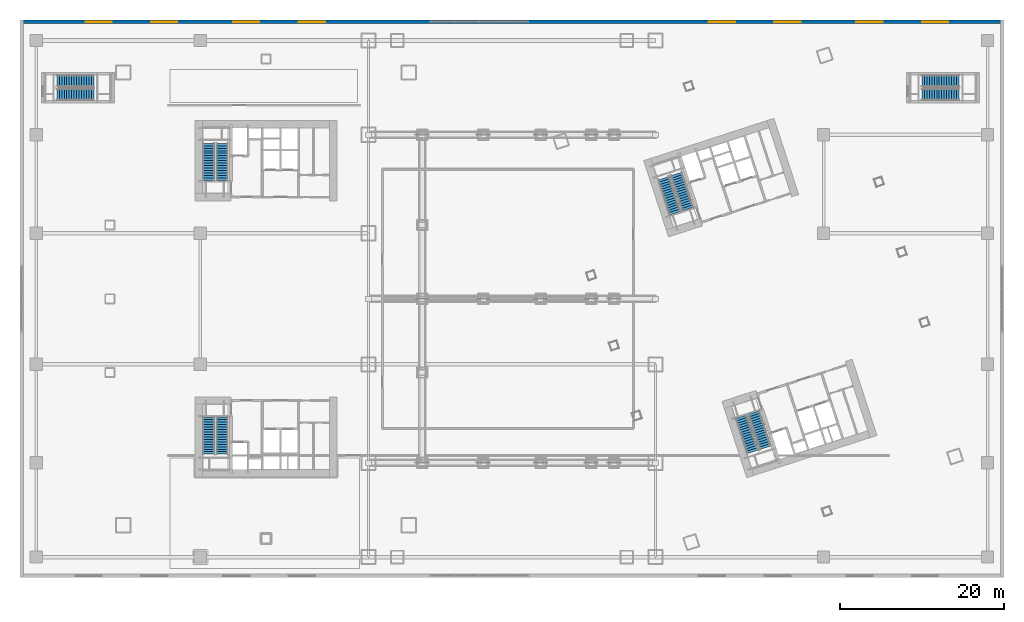
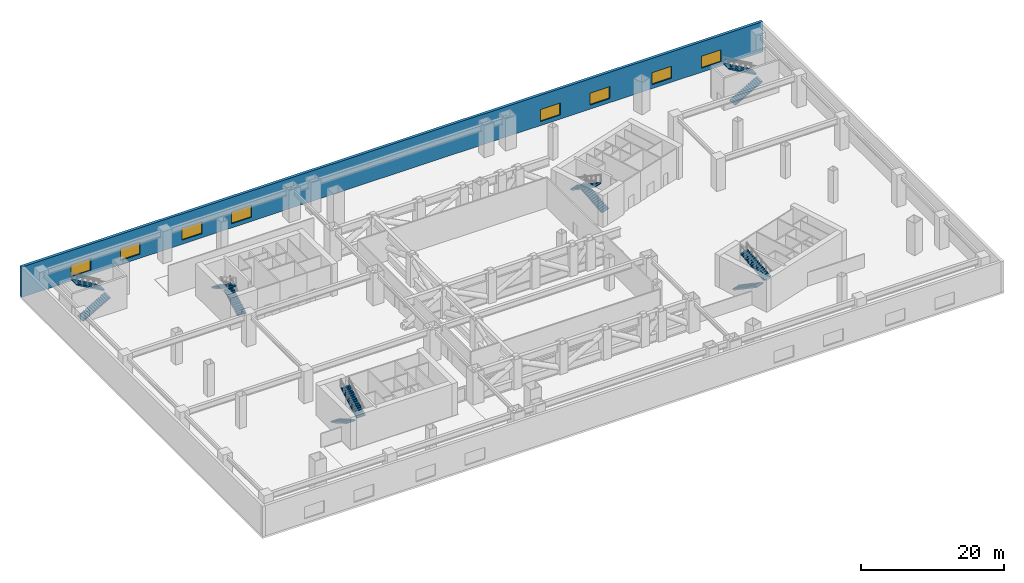
# One storey, part 30 of 34: 12 stair flights, 8 windows, 1 wall, 8 openings, 6 elements without a shape of their own.
"""IFC4 building model written with IfcOpenShell, lengths in metres."""

import ifcopenshell
import ifcopenshell.guid

model = None  # the IFC model being written
_history = None  # IfcOwnerHistory: only IFC2X3 demands one
_inside = {}  # id of a spatial element -> (the spatial element, [elements in it])
_under = {}  # id of a project, library or spatial element -> (it, [spatial elements below it])
_declared = {}  # id of a project -> (the project, [libraries it declares])
_typed = {}  # id of a type object -> (the type object, [elements of that type])
_made_of = {}  # id of a material, layer set ... -> (it, [elements and type objects made of it])


def new_model(schema):
    """Start an empty IFC model of exactly this schema.

    Asked for "IFC4X3", IfcOpenShell would pick the latest addendum, in which some entities
    have other attributes; the version numbers below select the first issue.
    IFC2X3 requires an IfcOwnerHistory on every rooted entity: one is made here for all.
    """
    global model, _history
    if schema == "IFC4X3":
        model = ifcopenshell.file(schema_version=(4, 3, 0, 0))
    else:
        model = ifcopenshell.file(schema=schema)
    _inside.clear()
    _under.clear()
    _declared.clear()
    _typed.clear()
    _made_of.clear()
    _history = None
    if model.schema == "IFC2X3":
        org = make("IfcOrganization", Name="unknown")
        user = make(
            "IfcPersonAndOrganization",
            ThePerson=make("IfcPerson", FamilyName="unknown"),
            TheOrganization=org,
        )
        app = make(
            "IfcApplication",
            ApplicationDeveloper=org,
            Version="unknown",
            ApplicationFullName="unknown",
            ApplicationIdentifier="unknown",
        )
        _history = make(
            "IfcOwnerHistory",
            OwningUser=user,
            OwningApplication=app,
            ChangeAction="ADDED",
            CreationDate=0,
        )
    return model


def make(cls, **values):
    """One entity of the class cls with the attributes given. An attribute that is None is left unset."""
    return model.create_entity(
        cls, **{name: value for name, value in values.items() if value is not None}
    )


def rooted(cls, **values):
    """An entity with a GlobalId (a new one), such as an element, a storey or a relation."""
    return make(cls, GlobalId=ifcopenshell.guid.new(), OwnerHistory=_history, **values)


def si_unit(unit_type, name, prefix=None):
    """IfcSIUnit, for example si_unit("LENGTHUNIT", "METRE", prefix="MILLI")."""
    return make("IfcSIUnit", UnitType=unit_type, Prefix=prefix, Name=name)


def assignment(units):
    """IfcUnitAssignment: the units of a project."""
    return None if units is None else make("IfcUnitAssignment", Units=units)


def point(xyz):
    """IfcCartesianPoint."""
    return None if xyz is None else make("IfcCartesianPoint", Coordinates=xyz)


def direction(xyz):
    """IfcDirection."""
    return None if xyz is None else make("IfcDirection", DirectionRatios=xyz)


def frame(location, z_axis=None, x_axis=None):
    """IfcAxis2Placement3D, a coordinate frame: its origin and axes. An axis left out is left unset."""
    return make(
        "IfcAxis2Placement3D",
        Location=point(location),
        Axis=direction(z_axis),
        RefDirection=direction(x_axis),
    )


def frame_2d(location, x_axis=None):
    """IfcAxis2Placement2D, a coordinate frame in the plane: its origin and x axis."""
    return make(
        "IfcAxis2Placement2D", Location=point(location), RefDirection=direction(x_axis)
    )


def origin():
    """The frame at (0, 0, 0) with its axes left unset."""
    return frame((0.0, 0.0, 0.0))


def place(relative_to, where):
    """IfcLocalPlacement: puts the frame where relative to a parent placement (None: the world)."""
    return make(
        "IfcLocalPlacement", PlacementRelTo=relative_to, RelativePlacement=where
    )


def context(
    kind, dimensions, precision=None, world=None, true_north=None, identifier=None
):
    """IfcGeometricRepresentationContext, for example the 3D "Model" context."""
    return make(
        "IfcGeometricRepresentationContext",
        ContextIdentifier=identifier,
        ContextType=kind,
        CoordinateSpaceDimension=dimensions,
        Precision=precision,
        WorldCoordinateSystem=world,
        TrueNorth=true_north,
    )


def subcontext(parent, identifier, kind, view, scale=None):
    """IfcGeometricRepresentationSubContext, for example "Body" below "Model"."""
    return make(
        "IfcGeometricRepresentationSubContext",
        ContextIdentifier=identifier,
        ContextType=kind,
        ParentContext=parent,
        TargetScale=scale,
        TargetView=view,
    )


def project(units=None, contexts=None):
    """IfcProject with its units and contexts."""
    return rooted(
        "IfcProject",
        Name="project",
        RepresentationContexts=contexts,
        UnitsInContext=assignment(units),
    )


def spatial(cls, under=None, at=None, **own):
    """A site, building, storey or space (cls), placed at a placement, below another one or the project."""
    s = rooted(cls, ObjectPlacement=at, **own)
    if under is not None:
        _under.setdefault(under.id(), (under, []))[1].append(s)
    return s


def polyline(points):
    """IfcPolyline through the points."""
    return make("IfcPolyline", Points=[point(p) for p in points])


def profile(cls, at=None, kind="AREA", **sizes):
    """A parametric profile (cls). Its sizes go by their IFC names, for example OverallWidth=200.0."""
    return make(cls, ProfileType=kind, Position=at, **sizes)


def rectangle(**sizes):
    """IfcRectangleProfileDef."""
    return profile("IfcRectangleProfileDef", **sizes)


def outline(outer, holes=None, kind="AREA"):
    """IfcArbitraryClosedProfileDef: a profile drawn as a closed curve; with holes, ...WithVoids."""
    if holes is None:
        return make("IfcArbitraryClosedProfileDef", ProfileType=kind, OuterCurve=outer)
    return make(
        "IfcArbitraryProfileDefWithVoids",
        ProfileType=kind,
        OuterCurve=outer,
        InnerCurves=holes,
    )


def extrude(swept, where, along, depth):
    """IfcExtrudedAreaSolid: the profile swept, set in the frame where, extruded along a direction by depth."""
    return make(
        "IfcExtrudedAreaSolid",
        SweptArea=swept,
        Position=where,
        ExtrudedDirection=direction(along),
        Depth=depth,
    )


def shape(context_of_items, identifier, shape_type, items):
    """IfcShapeRepresentation: the items that make up one representation, for example the "Body"."""
    return make(
        "IfcShapeRepresentation",
        ContextOfItems=context_of_items,
        RepresentationIdentifier=identifier,
        RepresentationType=shape_type,
        Items=items,
    )


def material(Name=None, Category=None):
    """IfcMaterial."""
    return make("IfcMaterial", Name=Name, Category=Category)


def layer(
    of_material, thickness, ventilated=None, Name=None, Category=None, Priority=None
):
    """IfcMaterialLayer: one layer of a wall or slab, of a material (None: an air gap)."""
    return make(
        "IfcMaterialLayer",
        Material=of_material,
        LayerThickness=thickness,
        IsVentilated=ventilated,
        Name=Name,
        Category=Category,
        Priority=Priority,
    )


def layer_set(layers, Name=None):
    """IfcMaterialLayerSet."""
    return make("IfcMaterialLayerSet", MaterialLayers=layers, LayerSetName=Name)


def made_of(thing, what):
    """Note that an element or type object is made of a material, layer set ...; save() writes the relation."""
    if what is not None:
        _made_of.setdefault(what.id(), (what, []))[1].append(thing)
    return thing


def type_object(cls, material=None, **own):
    """A type object (cls), such as IfcWallType, which elements share."""
    return made_of(rooted(cls, **own), material)


def element(
    cls,
    number,
    at=None,
    inside=None,
    cuts=None,
    type_object=None,
    material=None,
    context=None,
    identifier="Body",
    shape_type=None,
    held_by="IfcProductDefinitionShape",
    body=None,
    shapes=None,
    **own,
):
    """One element of the class cls, such as IfcWall. Its Tag is "e" and its number.

    at: its placement. inside: the storey or other place that contains it. cuts: it is an
    opening in that element (IfcRelVoidsElement). A single representation is given by context,
    identifier, shape_type and body (its items); several are given by shapes. held_by: the class
    of the entity that holds the representations. save() writes the other relations.
    """
    e = rooted(cls, Tag="e%d" % number, ObjectPlacement=at, **own)
    if body is not None:
        shapes = [shape(context, identifier, shape_type, body)]
    if shapes is not None:
        e.Representation = make(held_by, Representations=shapes)
    if inside is not None:
        _inside.setdefault(inside.id(), (inside, []))[1].append(e)
    if cuts is not None:
        rooted(
            "IfcRelVoidsElement", RelatingBuildingElement=cuts, RelatedOpeningElement=e
        )
    if type_object is not None:
        _typed.setdefault(type_object.id(), (type_object, []))[1].append(e)
    return made_of(e, material)


def fill(opening, filler):
    """IfcRelFillsElement: the door or window that sits in an opening."""
    return rooted(
        "IfcRelFillsElement",
        RelatingOpeningElement=opening,
        RelatedBuildingElement=filler,
    )


def aggregate(whole, parts):
    """IfcRelAggregates: a whole, such as a stair, and the parts it consists of."""
    return rooted("IfcRelAggregates", RelatingObject=whole, RelatedObjects=parts)


def save(model, path):
    """Write the relations noted so far, then the file.

    IfcRelAggregates (storeys below a building ...), IfcRelContainedInSpatialStructure (elements
    in a storey), IfcRelDefinesByType, IfcRelAssociatesMaterial and IfcRelDeclares: one each for
    every whole, place, type object, material and project.
    """
    for whole, parts in _under.values():
        aggregate(whole, parts)
    for where, things in _inside.values():
        rooted(
            "IfcRelContainedInSpatialStructure",
            RelatedElements=things,
            RelatingStructure=where,
        )
    for kind, things in _typed.values():
        rooted("IfcRelDefinesByType", RelatedObjects=things, RelatingType=kind)
    for what, things in _made_of.values():
        rooted("IfcRelAssociatesMaterial", RelatedObjects=things, RelatingMaterial=what)
    for by, libraries in _declared.values():
        rooted("IfcRelDeclares", RelatingContext=by, RelatedDefinitions=libraries)
    model.write(path)


model = new_model("IFC4")

# Units and contexts
model_context = context("Model", 3, precision=1e-05, world=origin(), true_north=direction((0.0, 1.0)))
body_context = subcontext(model_context, "Body", "Model", "MODEL_VIEW")
ifc_project = project(units=[si_unit("LENGTHUNIT", "METRE"), si_unit("AREAUNIT", "SQUARE_METRE"), si_unit("VOLUMEUNIT", "CUBIC_METRE"), si_unit("PLANEANGLEUNIT", "RADIAN"), si_unit("MASSUNIT", "GRAM", prefix="KILO")], contexts=[model_context])

# Site, building, storey
site_placement = place(None, origin())
site = spatial("IfcSite", under=ifc_project, at=site_placement, CompositionType="ELEMENT")
building_placement = place(site_placement, origin())
building = spatial("IfcBuilding", under=site, at=building_placement, Name="Qiaolan Cultural Towers", CompositionType="ELEMENT")
storey_placement = place(building_placement, frame((0.0, 0.0, 16.5)))
storey = spatial("IfcBuildingStorey", under=building, at=storey_placement, Name="L03", CompositionType="ELEMENT", Elevation=16.5)

# Wall, openings, windows
ifc_material_1 = material(Name="Precast Concrete C50 Bush-Hammered Granite Pier", Category="masonry")
ifc_layer = layer(ifc_material_1, 0.449951171875)
ifc_layer_set = layer_set([ifc_layer], Name="Precast Concrete C50 Bush-Hammered Granite Pier")
wall_type = type_object("IfcWallType", Name="WL-EXT-POD-450", PredefinedType="SOLIDWALL", material=ifc_layer_set)
wall_placement = place(storey_placement, frame((0.0, 67.77490234375, 0.0), z_axis=(0.0, 0.0, 1.0), x_axis=(1.0, 0.0, 0.0)))
wall = element("IfcWall", 1, at=wall_placement, inside=storey, type_object=wall_type, Name="L03 Podium Precast Facade Wall NORTH", PredefinedType="SOLIDWALL", context=body_context, shape_type="SweptSolid", body=[
    extrude(rectangle(XDim=120.0, YDim=0.449951171875, at=frame_2d((60.0, 0.0))), origin(), (0.0, 0.0, 1.0), 5.199951171875),
])
opening_1_placement = place(wall_placement, frame((8.0, 0.0, 0.699951171875)))
opening_1 = element("IfcOpeningElement", 2, at=opening_1_placement, cuts=wall, Name="Opening W-04", PredefinedType="OPENING", context=body_context, shape_type="SweptSolid", body=[
    extrude(rectangle(XDim=3.199951171875, YDim=2.050048828125, at=frame_2d((1.60009765625, 1.02490234375))), frame((0.0, 0.23486328125, 0.0), z_axis=(0.0, -1.0, 0.0), x_axis=(1.0, 0.0, 0.0)), (0.0, 0.0, 1.0), 0.469970703125),
])
opening_2_placement = place(wall_placement, frame((16.0, 0.0, 0.699951171875)))
opening_2 = element("IfcOpeningElement", 3, at=opening_2_placement, cuts=wall, Name="Opening W-04", PredefinedType="OPENING", context=body_context, shape_type="SweptSolid", body=[
    extrude(rectangle(XDim=3.199951171875, YDim=2.050048828125, at=frame_2d((1.60009765625, 1.02490234375))), frame((0.0, 0.23486328125, 0.0), z_axis=(0.0, -1.0, 0.0), x_axis=(1.0, 0.0, 0.0)), (0.0, 0.0, 1.0), 0.469970703125),
])
opening_3_placement = place(wall_placement, frame((26.0, 0.0, 0.699951171875)))
opening_3 = element("IfcOpeningElement", 4, at=opening_3_placement, cuts=wall, Name="Opening W-04", PredefinedType="OPENING", context=body_context, shape_type="SweptSolid", body=[
    extrude(rectangle(XDim=3.199951171875, YDim=2.050048828125, at=frame_2d((1.60009765625, 1.02490234375))), frame((0.0, 0.23486328125, 0.0), z_axis=(0.0, -1.0, 0.0), x_axis=(1.0, 0.0, 0.0)), (0.0, 0.0, 1.0), 0.469970703125),
])
opening_4_placement = place(wall_placement, frame((34.0, 0.0, 0.699951171875)))
opening_4 = element("IfcOpeningElement", 5, at=opening_4_placement, cuts=wall, Name="Opening W-04", PredefinedType="OPENING", context=body_context, shape_type="SweptSolid", body=[
    extrude(rectangle(XDim=3.199951171875, YDim=2.050048828125, at=frame_2d((1.60009765625, 1.02490234375))), frame((0.0, 0.23486328125, 0.0), z_axis=(0.0, -1.0, 0.0), x_axis=(1.0, 0.0, 0.0)), (0.0, 0.0, 1.0), 0.469970703125),
])
opening_5_placement = place(wall_placement, frame((84.0, 0.0, 0.699951171875)))
opening_5 = element("IfcOpeningElement", 6, at=opening_5_placement, cuts=wall, Name="Opening W-04", PredefinedType="OPENING", context=body_context, shape_type="SweptSolid", body=[
    extrude(rectangle(XDim=3.199951171875, YDim=2.050048828125, at=frame_2d((1.60009765625, 1.02490234375))), frame((0.0, 0.23486328125, 0.0), z_axis=(0.0, -1.0, 0.0), x_axis=(1.0, 0.0, 0.0)), (0.0, 0.0, 1.0), 0.469970703125),
])
opening_6_placement = place(wall_placement, frame((92.0, 0.0, 0.699951171875)))
opening_6 = element("IfcOpeningElement", 7, at=opening_6_placement, cuts=wall, Name="Opening W-04", PredefinedType="OPENING", context=body_context, shape_type="SweptSolid", body=[
    extrude(rectangle(XDim=3.199951171875, YDim=2.050048828125, at=frame_2d((1.60009765625, 1.02490234375))), frame((0.0, 0.23486328125, 0.0), z_axis=(0.0, -1.0, 0.0), x_axis=(1.0, 0.0, 0.0)), (0.0, 0.0, 1.0), 0.469970703125),
])
opening_7_placement = place(wall_placement, frame((102.0, 0.0, 0.699951171875)))
opening_7 = element("IfcOpeningElement", 8, at=opening_7_placement, cuts=wall, Name="Opening W-04", PredefinedType="OPENING", context=body_context, shape_type="SweptSolid", body=[
    extrude(rectangle(XDim=3.199951171875, YDim=2.050048828125, at=frame_2d((1.60009765625, 1.02490234375))), frame((0.0, 0.23486328125, 0.0), z_axis=(0.0, -1.0, 0.0), x_axis=(1.0, 0.0, 0.0)), (0.0, 0.0, 1.0), 0.469970703125),
])
opening_8_placement = place(wall_placement, frame((110.0, 0.0, 0.699951171875)))
opening_8 = element("IfcOpeningElement", 9, at=opening_8_placement, cuts=wall, Name="Opening W-04", PredefinedType="OPENING", context=body_context, shape_type="SweptSolid", body=[
    extrude(rectangle(XDim=3.199951171875, YDim=2.050048828125, at=frame_2d((1.60009765625, 1.02490234375))), frame((0.0, 0.23486328125, 0.0), z_axis=(0.0, -1.0, 0.0), x_axis=(1.0, 0.0, 0.0)), (0.0, 0.0, 1.0), 0.469970703125),
])
ifc_material_2 = material(Name="Thermally Broken Aluminium Triple Low-E Glazing", Category="aluminium")
window_type = type_object("IfcWindowType", Name="WN-POD-3200", PartitioningType="SINGLE_PANEL", PredefinedType="WINDOW", material=ifc_material_2)
window_1_placement = place(opening_1_placement, origin())
window_1 = element("IfcWindow", 10, at=window_1_placement, inside=storey, type_object=window_type, Name="L03 Podium Chicago Window NORTH-01", OverallHeight=2.050048828125, OverallWidth=3.199951171875, PartitioningType="TRIPLE_PANEL_VERTICAL", PredefinedType="WINDOW", context=body_context, shape_type="SweptSolid", body=[
    extrude(rectangle(XDim=3.199951171875, YDim=2.050048828125, at=frame_2d((1.60009765625, 1.02490234375))), frame((0.0, 0.030029296875, 0.0), z_axis=(0.0, -1.0, 0.0), x_axis=(1.0, 0.0, 0.0)), (0.0, 0.0, 1.0), 0.06005859375),
])
fill(opening_1, window_1)
window_2_placement = place(opening_2_placement, origin())
window_2 = element("IfcWindow", 11, at=window_2_placement, inside=storey, type_object=window_type, Name="L03 Podium Chicago Window NORTH-02", OverallHeight=2.050048828125, OverallWidth=3.199951171875, PartitioningType="TRIPLE_PANEL_VERTICAL", PredefinedType="WINDOW", context=body_context, shape_type="SweptSolid", body=[
    extrude(rectangle(XDim=3.199951171875, YDim=2.050048828125, at=frame_2d((1.60009765625, 1.02490234375))), frame((0.0, 0.030029296875, 0.0), z_axis=(0.0, -1.0, 0.0), x_axis=(1.0, 0.0, 0.0)), (0.0, 0.0, 1.0), 0.06005859375),
])
fill(opening_2, window_2)
window_3_placement = place(opening_3_placement, origin())
window_3 = element("IfcWindow", 12, at=window_3_placement, inside=storey, type_object=window_type, Name="L03 Podium Chicago Window NORTH-03", OverallHeight=2.050048828125, OverallWidth=3.199951171875, PartitioningType="TRIPLE_PANEL_VERTICAL", PredefinedType="WINDOW", context=body_context, shape_type="SweptSolid", body=[
    extrude(rectangle(XDim=3.199951171875, YDim=2.050048828125, at=frame_2d((1.60009765625, 1.02490234375))), frame((0.0, 0.030029296875, 0.0), z_axis=(0.0, -1.0, 0.0), x_axis=(1.0, 0.0, 0.0)), (0.0, 0.0, 1.0), 0.06005859375),
])
fill(opening_3, window_3)
window_4_placement = place(opening_4_placement, origin())
window_4 = element("IfcWindow", 13, at=window_4_placement, inside=storey, type_object=window_type, Name="L03 Podium Chicago Window NORTH-04", OverallHeight=2.050048828125, OverallWidth=3.199951171875, PartitioningType="TRIPLE_PANEL_VERTICAL", PredefinedType="WINDOW", context=body_context, shape_type="SweptSolid", body=[
    extrude(rectangle(XDim=3.199951171875, YDim=2.050048828125, at=frame_2d((1.60009765625, 1.02490234375))), frame((0.0, 0.030029296875, 0.0), z_axis=(0.0, -1.0, 0.0), x_axis=(1.0, 0.0, 0.0)), (0.0, 0.0, 1.0), 0.06005859375),
])
fill(opening_4, window_4)
window_5_placement = place(opening_5_placement, origin())
window_5 = element("IfcWindow", 14, at=window_5_placement, inside=storey, type_object=window_type, Name="L03 Podium Chicago Window NORTH-05", OverallHeight=2.050048828125, OverallWidth=3.199951171875, PartitioningType="TRIPLE_PANEL_VERTICAL", PredefinedType="WINDOW", context=body_context, shape_type="SweptSolid", body=[
    extrude(rectangle(XDim=3.199951171875, YDim=2.050048828125, at=frame_2d((1.60009765625, 1.02490234375))), frame((0.0, 0.030029296875, 0.0), z_axis=(0.0, -1.0, 0.0), x_axis=(1.0, 0.0, 0.0)), (0.0, 0.0, 1.0), 0.06005859375),
])
fill(opening_5, window_5)
window_6_placement = place(opening_6_placement, origin())
window_6 = element("IfcWindow", 15, at=window_6_placement, inside=storey, type_object=window_type, Name="L03 Podium Chicago Window NORTH-06", OverallHeight=2.050048828125, OverallWidth=3.199951171875, PartitioningType="TRIPLE_PANEL_VERTICAL", PredefinedType="WINDOW", context=body_context, shape_type="SweptSolid", body=[
    extrude(rectangle(XDim=3.199951171875, YDim=2.050048828125, at=frame_2d((1.60009765625, 1.02490234375))), frame((0.0, 0.030029296875, 0.0), z_axis=(0.0, -1.0, 0.0), x_axis=(1.0, 0.0, 0.0)), (0.0, 0.0, 1.0), 0.06005859375),
])
fill(opening_6, window_6)
window_7_placement = place(opening_7_placement, origin())
window_7 = element("IfcWindow", 16, at=window_7_placement, inside=storey, type_object=window_type, Name="L03 Podium Chicago Window NORTH-07", OverallHeight=2.050048828125, OverallWidth=3.199951171875, PartitioningType="TRIPLE_PANEL_VERTICAL", PredefinedType="WINDOW", context=body_context, shape_type="SweptSolid", body=[
    extrude(rectangle(XDim=3.199951171875, YDim=2.050048828125, at=frame_2d((1.60009765625, 1.02490234375))), frame((0.0, 0.030029296875, 0.0), z_axis=(0.0, -1.0, 0.0), x_axis=(1.0, 0.0, 0.0)), (0.0, 0.0, 1.0), 0.06005859375),
])
fill(opening_7, window_7)
window_8_placement = place(opening_8_placement, origin())
window_8 = element("IfcWindow", 17, at=window_8_placement, inside=storey, type_object=window_type, Name="L03 Podium Chicago Window NORTH-08", OverallHeight=2.050048828125, OverallWidth=3.199951171875, PartitioningType="TRIPLE_PANEL_VERTICAL", PredefinedType="WINDOW", context=body_context, shape_type="SweptSolid", body=[
    extrude(rectangle(XDim=3.199951171875, YDim=2.050048828125, at=frame_2d((1.60009765625, 1.02490234375))), frame((0.0, 0.030029296875, 0.0), z_axis=(0.0, -1.0, 0.0), x_axis=(1.0, 0.0, 0.0)), (0.0, 0.0, 1.0), 0.06005859375),
])
fill(opening_8, window_8)

# Stair, stair flights
ifc_material_3 = material(Name="Concrete C45", Category="concrete")
stair_type_1 = type_object("IfcStairType", Name="STR-CORE-1500", PredefinedType="HALF_TURN_STAIR", material=ifc_material_3)
stair_1_placement = place(storey_placement, origin())
stair_1 = element("IfcStair", 18, at=stair_1_placement, inside=storey, type_object=stair_type_1, Name="L03 Smokeproof Exit Stair ST-W1", PredefinedType="HALF_TURN_STAIR")
ifc_material_4 = material(Name="Concrete C45", Category="concrete")
stair_flight_type_1 = type_object("IfcStairFlightType", Name="STR-CORE-1500-FL", PredefinedType="STRAIGHT", material=ifc_material_4)
stair_flight_1_placement = place(storey_placement, frame((23.02001953125, 19.550048828125, 0.0), z_axis=(0.0, 0.0, 1.0), x_axis=(0.0, -1.0, 0.0)))
stair_flight_1 = element("IfcStairFlight", 19, at=stair_flight_1_placement, type_object=stair_flight_type_1, Name="ST-W1 flight 1", NumberOfRisers=16, NumberOfTreads=15, PredefinedType="STRAIGHT", RiserHeight=0.171875, TreadLength=0.3, context=body_context, shape_type="SweptSolid", body=[
    extrude(outline(polyline([(0.0, 0.0), (0.0, 0.171875), (0.300048828125, 0.171875), (0.300048828125, 0.34375), (0.60009765625, 0.34375), (0.60009765625, 0.515625), (0.89990234375, 0.515625), (0.89990234375, 0.6875), (1.199951171875, 0.6875), (1.199951171875, 0.859375), (1.5, 0.859375), (1.5, 1.03125), (1.800048828125, 1.03125), (1.800048828125, 1.203125), (2.10009765625, 1.203125), (2.10009765625, 1.375), (2.39990234375, 1.375), (2.39990234375, 1.546875), (2.699951171875, 1.546875), (2.699951171875, 1.71875), (3.0, 1.71875), (3.0, 1.890625), (3.300048828125, 1.890625), (3.300048828125, 2.0625), (3.60009765625, 2.0625), (3.60009765625, 2.234375), (3.89990234375, 2.234375), (3.89990234375, 2.40625), (4.199951171875, 2.40625), (4.199951171875, 2.578125), (4.5, 2.578125), (4.5, 2.75), (4.5, 2.4052734375), (0.301513671875, 0.0), (0.0, 0.0)])), frame((0.0, 0.719970703125, 0.0), z_axis=(0.0, -1.0, 0.0), x_axis=(1.0, 0.0, 0.0)), (0.0, 0.0, 1.0), 1.43994140625),
])
stair_flight_2_placement = place(storey_placement, frame((24.659912109375, 15.050048828125, 2.75), z_axis=(0.0, 0.0, 1.0), x_axis=(0.0, 1.0, 0.0)))
stair_flight_2 = element("IfcStairFlight", 20, at=stair_flight_2_placement, type_object=stair_flight_type_1, Name="ST-W1 flight 2", NumberOfRisers=16, NumberOfTreads=15, PredefinedType="STRAIGHT", RiserHeight=0.171875, TreadLength=0.3, context=body_context, shape_type="SweptSolid", body=[
    extrude(outline(polyline([(0.0, 0.0), (0.0, 0.171875), (0.300048828125, 0.171875), (0.300048828125, 0.34375), (0.60009765625, 0.34375), (0.60009765625, 0.515625), (0.89990234375, 0.515625), (0.89990234375, 0.6875), (1.199951171875, 0.6875), (1.199951171875, 0.859375), (1.5, 0.859375), (1.5, 1.03125), (1.800048828125, 1.03125), (1.800048828125, 1.203125), (2.10009765625, 1.203125), (2.10009765625, 1.375), (2.39990234375, 1.375), (2.39990234375, 1.546875), (2.699951171875, 1.546875), (2.699951171875, 1.71875), (3.0, 1.71875), (3.0, 1.890625), (3.300048828125, 1.890625), (3.300048828125, 2.0625), (3.60009765625, 2.0625), (3.60009765625, 2.234375), (3.89990234375, 2.234375), (3.89990234375, 2.40625), (4.199951171875, 2.40625), (4.199951171875, 2.578125), (4.5, 2.578125), (4.5, 2.75), (4.5, 2.4052734375), (0.301513671875, 0.0), (0.0, 0.0)])), frame((0.0, 0.719970703125, 0.0), z_axis=(0.0, -1.0, 0.0), x_axis=(1.0, 0.0, 0.0)), (0.0, 0.0, 1.0), 1.43994140625),
])
aggregate(stair_1, [stair_flight_1, stair_flight_2])

stair_2_placement = place(storey_placement, origin())
stair_2 = element("IfcStair", 21, at=stair_2_placement, inside=storey, type_object=stair_type_1, Name="L03 Smokeproof Exit Stair ST-W2", PredefinedType="HALF_TURN_STAIR")
stair_flight_3_placement = place(storey_placement, frame((24.659912109375, 48.449951171875, 0.0), z_axis=(0.0, 0.0, 1.0), x_axis=(0.0, 1.0, 0.0)))
stair_flight_3 = element("IfcStairFlight", 22, at=stair_flight_3_placement, type_object=stair_flight_type_1, Name="ST-W2 flight 1", NumberOfRisers=16, NumberOfTreads=15, PredefinedType="STRAIGHT", RiserHeight=0.171875, TreadLength=0.3, context=body_context, shape_type="SweptSolid", body=[
    extrude(outline(polyline([(0.0, 0.0), (0.0, 0.171875), (0.300048828125, 0.171875), (0.300048828125, 0.34375), (0.60009765625, 0.34375), (0.60009765625, 0.515625), (0.89990234375, 0.515625), (0.89990234375, 0.6875), (1.199951171875, 0.6875), (1.199951171875, 0.859375), (1.5, 0.859375), (1.5, 1.03125), (1.800048828125, 1.03125), (1.800048828125, 1.203125), (2.10009765625, 1.203125), (2.10009765625, 1.375), (2.39990234375, 1.375), (2.39990234375, 1.546875), (2.699951171875, 1.546875), (2.699951171875, 1.71875), (3.0, 1.71875), (3.0, 1.890625), (3.300048828125, 1.890625), (3.300048828125, 2.0625), (3.60009765625, 2.0625), (3.60009765625, 2.234375), (3.89990234375, 2.234375), (3.89990234375, 2.40625), (4.199951171875, 2.40625), (4.199951171875, 2.578125), (4.5, 2.578125), (4.5, 2.75), (4.5, 2.4052734375), (0.301513671875, 0.0), (0.0, 0.0)])), frame((0.0, 0.719970703125, 0.0), z_axis=(0.0, -1.0, 0.0), x_axis=(1.0, 0.0, 0.0)), (0.0, 0.0, 1.0), 1.43994140625),
])
stair_flight_4_placement = place(storey_placement, frame((23.02001953125, 52.949951171875, 2.75), z_axis=(0.0, 0.0, 1.0), x_axis=(0.0, -1.0, 0.0)))
stair_flight_4 = element("IfcStairFlight", 23, at=stair_flight_4_placement, type_object=stair_flight_type_1, Name="ST-W2 flight 2", NumberOfRisers=16, NumberOfTreads=15, PredefinedType="STRAIGHT", RiserHeight=0.171875, TreadLength=0.3, context=body_context, shape_type="SweptSolid", body=[
    extrude(outline(polyline([(0.0, 0.0), (0.0, 0.171875), (0.300048828125, 0.171875), (0.300048828125, 0.34375), (0.60009765625, 0.34375), (0.60009765625, 0.515625), (0.89990234375, 0.515625), (0.89990234375, 0.6875), (1.199951171875, 0.6875), (1.199951171875, 0.859375), (1.5, 0.859375), (1.5, 1.03125), (1.800048828125, 1.03125), (1.800048828125, 1.203125), (2.10009765625, 1.203125), (2.10009765625, 1.375), (2.39990234375, 1.375), (2.39990234375, 1.546875), (2.699951171875, 1.546875), (2.699951171875, 1.71875), (3.0, 1.71875), (3.0, 1.890625), (3.300048828125, 1.890625), (3.300048828125, 2.0625), (3.60009765625, 2.0625), (3.60009765625, 2.234375), (3.89990234375, 2.234375), (3.89990234375, 2.40625), (4.199951171875, 2.40625), (4.199951171875, 2.578125), (4.5, 2.578125), (4.5, 2.75), (4.5, 2.4052734375), (0.301513671875, 0.0), (0.0, 0.0)])), frame((0.0, 0.719970703125, 0.0), z_axis=(0.0, -1.0, 0.0), x_axis=(1.0, 0.0, 0.0)), (0.0, 0.0, 1.0), 1.43994140625),
])
aggregate(stair_2, [stair_flight_3, stair_flight_4])

stair_3_placement = place(storey_placement, origin())
stair_3 = element("IfcStair", 24, at=stair_3_placement, inside=storey, type_object=stair_type_1, Name="L03 Smokeproof Exit Stair ST-E1", PredefinedType="HALF_TURN_STAIR")
stair_flight_5_placement = place(storey_placement, frame((87.96484375, 19.6171875, 0.0), z_axis=(0.0, 0.0, 1.0), x_axis=(0.309016994375, -0.951056516295, 0.0)))
stair_flight_5 = element("IfcStairFlight", 25, at=stair_flight_5_placement, type_object=stair_flight_type_1, Name="ST-E1 flight 1", NumberOfRisers=16, NumberOfTreads=15, PredefinedType="STRAIGHT", RiserHeight=0.171875, TreadLength=0.3, context=body_context, shape_type="SweptSolid", body=[
    extrude(outline(polyline([(0.0, 0.0), (0.0, 0.171875), (0.300048828125, 0.171875), (0.300048828125, 0.34375), (0.60009765625, 0.34375), (0.60009765625, 0.515625), (0.89990234375, 0.515625), (0.89990234375, 0.6875), (1.199951171875, 0.6875), (1.199951171875, 0.859375), (1.5, 0.859375), (1.5, 1.03125), (1.800048828125, 1.03125), (1.800048828125, 1.203125), (2.10009765625, 1.203125), (2.10009765625, 1.375), (2.39990234375, 1.375), (2.39990234375, 1.546875), (2.699951171875, 1.546875), (2.699951171875, 1.71875), (3.0, 1.71875), (3.0, 1.890625), (3.300048828125, 1.890625), (3.300048828125, 2.0625), (3.60009765625, 2.0625), (3.60009765625, 2.234375), (3.89990234375, 2.234375), (3.89990234375, 2.40625), (4.199951171875, 2.40625), (4.199951171875, 2.578125), (4.5, 2.578125), (4.5, 2.75), (4.5, 2.4052734375), (0.301513671875, 0.0), (0.0, 0.0)])), frame((0.0, 0.719970703125, 0.0), z_axis=(0.0, -1.0, 0.0), x_axis=(1.0, 0.0, 0.0)), (0.0, 0.0, 1.0), 1.43994140625),
])
stair_flight_6_placement = place(storey_placement, frame((90.915283203125, 15.84423828125, 2.75), z_axis=(0.0, 0.0, 1.0), x_axis=(-0.309016994375, 0.951056516295, 0.0)))
stair_flight_6 = element("IfcStairFlight", 26, at=stair_flight_6_placement, type_object=stair_flight_type_1, Name="ST-E1 flight 2", NumberOfRisers=16, NumberOfTreads=15, PredefinedType="STRAIGHT", RiserHeight=0.171875, TreadLength=0.3, context=body_context, shape_type="SweptSolid", body=[
    extrude(outline(polyline([(0.0, 0.0), (0.0, 0.171875), (0.300048828125, 0.171875), (0.300048828125, 0.34375), (0.60009765625, 0.34375), (0.60009765625, 0.515625), (0.89990234375, 0.515625), (0.89990234375, 0.6875), (1.199951171875, 0.6875), (1.199951171875, 0.859375), (1.5, 0.859375), (1.5, 1.03125), (1.800048828125, 1.03125), (1.800048828125, 1.203125), (2.10009765625, 1.203125), (2.10009765625, 1.375), (2.39990234375, 1.375), (2.39990234375, 1.546875), (2.699951171875, 1.546875), (2.699951171875, 1.71875), (3.0, 1.71875), (3.0, 1.890625), (3.300048828125, 1.890625), (3.300048828125, 2.0625), (3.60009765625, 2.0625), (3.60009765625, 2.234375), (3.89990234375, 2.234375), (3.89990234375, 2.40625), (4.199951171875, 2.40625), (4.199951171875, 2.578125), (4.5, 2.578125), (4.5, 2.75), (4.5, 2.4052734375), (0.301513671875, 0.0), (0.0, 0.0)])), frame((0.0, 0.719970703125, 0.0), z_axis=(0.0, -1.0, 0.0), x_axis=(1.0, 0.0, 0.0)), (0.0, 0.0, 1.0), 1.43994140625),
])
aggregate(stair_3, [stair_flight_5, stair_flight_6])

stair_4_placement = place(storey_placement, origin())
stair_4 = element("IfcStair", 27, at=stair_4_placement, inside=storey, type_object=stair_type_1, Name="L03 Smokeproof Exit Stair ST-E2", PredefinedType="HALF_TURN_STAIR")
stair_flight_7_placement = place(storey_placement, frame((81.459228515625, 44.946533203125, 0.0), z_axis=(0.0, 0.0, 1.0), x_axis=(-0.309016994375, 0.951056516295, 0.0)))
stair_flight_7 = element("IfcStairFlight", 28, at=stair_flight_7_placement, type_object=stair_flight_type_1, Name="ST-E2 flight 1", NumberOfRisers=16, NumberOfTreads=15, PredefinedType="STRAIGHT", RiserHeight=0.171875, TreadLength=0.3, context=body_context, shape_type="SweptSolid", body=[
    extrude(outline(polyline([(0.0, 0.0), (0.0, 0.171875), (0.300048828125, 0.171875), (0.300048828125, 0.34375), (0.60009765625, 0.34375), (0.60009765625, 0.515625), (0.89990234375, 0.515625), (0.89990234375, 0.6875), (1.199951171875, 0.6875), (1.199951171875, 0.859375), (1.5, 0.859375), (1.5, 1.03125), (1.800048828125, 1.03125), (1.800048828125, 1.203125), (2.10009765625, 1.203125), (2.10009765625, 1.375), (2.39990234375, 1.375), (2.39990234375, 1.546875), (2.699951171875, 1.546875), (2.699951171875, 1.71875), (3.0, 1.71875), (3.0, 1.890625), (3.300048828125, 1.890625), (3.300048828125, 2.0625), (3.60009765625, 2.0625), (3.60009765625, 2.234375), (3.89990234375, 2.234375), (3.89990234375, 2.40625), (4.199951171875, 2.40625), (4.199951171875, 2.578125), (4.5, 2.578125), (4.5, 2.75), (4.5, 2.4052734375), (0.301513671875, 0.0), (0.0, 0.0)])), frame((0.0, 0.719970703125, 0.0), z_axis=(0.0, -1.0, 0.0), x_axis=(1.0, 0.0, 0.0)), (0.0, 0.0, 1.0), 1.43994140625),
])
stair_flight_8_placement = place(storey_placement, frame((78.509033203125, 48.719482421875, 2.75), z_axis=(0.0, 0.0, 1.0), x_axis=(0.309016994375, -0.951056516295, 0.0)))
stair_flight_8 = element("IfcStairFlight", 29, at=stair_flight_8_placement, type_object=stair_flight_type_1, Name="ST-E2 flight 2", NumberOfRisers=16, NumberOfTreads=15, PredefinedType="STRAIGHT", RiserHeight=0.171875, TreadLength=0.3, context=body_context, shape_type="SweptSolid", body=[
    extrude(outline(polyline([(0.0, 0.0), (0.0, 0.171875), (0.300048828125, 0.171875), (0.300048828125, 0.34375), (0.60009765625, 0.34375), (0.60009765625, 0.515625), (0.89990234375, 0.515625), (0.89990234375, 0.6875), (1.199951171875, 0.6875), (1.199951171875, 0.859375), (1.5, 0.859375), (1.5, 1.03125), (1.800048828125, 1.03125), (1.800048828125, 1.203125), (2.10009765625, 1.203125), (2.10009765625, 1.375), (2.39990234375, 1.375), (2.39990234375, 1.546875), (2.699951171875, 1.546875), (2.699951171875, 1.71875), (3.0, 1.71875), (3.0, 1.890625), (3.300048828125, 1.890625), (3.300048828125, 2.0625), (3.60009765625, 2.0625), (3.60009765625, 2.234375), (3.89990234375, 2.234375), (3.89990234375, 2.40625), (4.199951171875, 2.40625), (4.199951171875, 2.578125), (4.5, 2.578125), (4.5, 2.75), (4.5, 2.4052734375), (0.301513671875, 0.0), (0.0, 0.0)])), frame((0.0, 0.719970703125, 0.0), z_axis=(0.0, -1.0, 0.0), x_axis=(1.0, 0.0, 0.0)), (0.0, 0.0, 1.0), 1.43994140625),
])
aggregate(stair_4, [stair_flight_7, stair_flight_8])

ifc_material_5 = material(Name="Concrete C45", Category="concrete")
stair_type_2 = type_object("IfcStairType", Name="STR-POD-1650", PredefinedType="HALF_TURN_STAIR", material=ifc_material_5)
stair_5_placement = place(storey_placement, origin())
stair_5 = element("IfcStair", 30, at=stair_5_placement, inside=storey, type_object=stair_type_2, Name="L03 Podium Northwest Exit Stair ST-P1", PredefinedType="HALF_TURN_STAIR")
ifc_material_6 = material(Name="Concrete C45", Category="concrete")
stair_flight_type_2 = type_object("IfcStairFlightType", Name="STR-POD-1650-FL", PredefinedType="STRAIGHT", material=ifc_material_6)
stair_flight_9_placement = place(storey_placement, frame((4.5, 58.925048828125, 0.0), z_axis=(0.0, 0.0, 1.0), x_axis=(1.0, 0.0, 0.0)))
stair_flight_9 = element("IfcStairFlight", 31, at=stair_flight_9_placement, type_object=stair_flight_type_2, Name="ST-P1 flight 1", NumberOfRisers=16, NumberOfTreads=15, PredefinedType="STRAIGHT", RiserHeight=0.171875, TreadLength=0.3, context=body_context, shape_type="SweptSolid", body=[
    extrude(outline(polyline([(0.0, 0.0), (0.0, 0.171875), (0.300048828125, 0.171875), (0.300048828125, 0.34375), (0.60009765625, 0.34375), (0.60009765625, 0.515625), (0.89990234375, 0.515625), (0.89990234375, 0.6875), (1.199951171875, 0.6875), (1.199951171875, 0.859375), (1.5, 0.859375), (1.5, 1.03125), (1.800048828125, 1.03125), (1.800048828125, 1.203125), (2.10009765625, 1.203125), (2.10009765625, 1.375), (2.39990234375, 1.375), (2.39990234375, 1.546875), (2.699951171875, 1.546875), (2.699951171875, 1.71875), (3.0, 1.71875), (3.0, 1.890625), (3.300048828125, 1.890625), (3.300048828125, 2.0625), (3.60009765625, 2.0625), (3.60009765625, 2.234375), (3.89990234375, 2.234375), (3.89990234375, 2.40625), (4.199951171875, 2.40625), (4.199951171875, 2.578125), (4.5, 2.578125), (4.5, 2.75), (4.5, 2.4052734375), (0.301513671875, 0.0), (0.0, 0.0)])), frame((0.0, 0.72509765625, 0.0), z_axis=(0.0, -1.0, 0.0), x_axis=(1.0, 0.0, 0.0)), (0.0, 0.0, 1.0), 1.449951171875),
])
stair_flight_10_placement = place(storey_placement, frame((9.0, 60.574951171875, 2.75), z_axis=(0.0, 0.0, 1.0), x_axis=(-1.0, 0.0, 0.0)))
stair_flight_10 = element("IfcStairFlight", 32, at=stair_flight_10_placement, type_object=stair_flight_type_2, Name="ST-P1 flight 2", NumberOfRisers=16, NumberOfTreads=15, PredefinedType="STRAIGHT", RiserHeight=0.171875, TreadLength=0.3, context=body_context, shape_type="SweptSolid", body=[
    extrude(outline(polyline([(0.0, 0.0), (0.0, 0.171875), (0.300048828125, 0.171875), (0.300048828125, 0.34375), (0.60009765625, 0.34375), (0.60009765625, 0.515625), (0.89990234375, 0.515625), (0.89990234375, 0.6875), (1.199951171875, 0.6875), (1.199951171875, 0.859375), (1.5, 0.859375), (1.5, 1.03125), (1.800048828125, 1.03125), (1.800048828125, 1.203125), (2.10009765625, 1.203125), (2.10009765625, 1.375), (2.39990234375, 1.375), (2.39990234375, 1.546875), (2.699951171875, 1.546875), (2.699951171875, 1.71875), (3.0, 1.71875), (3.0, 1.890625), (3.300048828125, 1.890625), (3.300048828125, 2.0625), (3.60009765625, 2.0625), (3.60009765625, 2.234375), (3.89990234375, 2.234375), (3.89990234375, 2.40625), (4.199951171875, 2.40625), (4.199951171875, 2.578125), (4.5, 2.578125), (4.5, 2.75), (4.5, 2.4052734375), (0.301513671875, 0.0), (0.0, 0.0)])), frame((0.0, 0.72509765625, 0.0), z_axis=(0.0, -1.0, 0.0), x_axis=(1.0, 0.0, 0.0)), (0.0, 0.0, 1.0), 1.449951171875),
])
aggregate(stair_5, [stair_flight_9, stair_flight_10])

stair_6_placement = place(storey_placement, origin())
stair_6 = element("IfcStair", 33, at=stair_6_placement, inside=storey, type_object=stair_type_2, Name="L03 Podium Northeast Exit Stair ST-P2", PredefinedType="HALF_TURN_STAIR")
stair_flight_11_placement = place(storey_placement, frame((110.0, 58.925048828125, 0.0), z_axis=(0.0, 0.0, 1.0), x_axis=(1.0, 0.0, 0.0)))
stair_flight_11 = element("IfcStairFlight", 34, at=stair_flight_11_placement, type_object=stair_flight_type_2, Name="ST-P2 flight 1", NumberOfRisers=16, NumberOfTreads=15, PredefinedType="STRAIGHT", RiserHeight=0.171875, TreadLength=0.3, context=body_context, shape_type="SweptSolid", body=[
    extrude(outline(polyline([(0.0, 0.0), (0.0, 0.171875), (0.300048828125, 0.171875), (0.300048828125, 0.34375), (0.60009765625, 0.34375), (0.60009765625, 0.515625), (0.89990234375, 0.515625), (0.89990234375, 0.6875), (1.199951171875, 0.6875), (1.199951171875, 0.859375), (1.5, 0.859375), (1.5, 1.03125), (1.800048828125, 1.03125), (1.800048828125, 1.203125), (2.10009765625, 1.203125), (2.10009765625, 1.375), (2.39990234375, 1.375), (2.39990234375, 1.546875), (2.699951171875, 1.546875), (2.699951171875, 1.71875), (3.0, 1.71875), (3.0, 1.890625), (3.300048828125, 1.890625), (3.300048828125, 2.0625), (3.60009765625, 2.0625), (3.60009765625, 2.234375), (3.89990234375, 2.234375), (3.89990234375, 2.40625), (4.199951171875, 2.40625), (4.199951171875, 2.578125), (4.5, 2.578125), (4.5, 2.75), (4.5, 2.4052734375), (0.301513671875, 0.0), (0.0, 0.0)])), frame((0.0, 0.72509765625, 0.0), z_axis=(0.0, -1.0, 0.0), x_axis=(1.0, 0.0, 0.0)), (0.0, 0.0, 1.0), 1.449951171875),
])
stair_flight_12_placement = place(storey_placement, frame((114.5, 60.574951171875, 2.75), z_axis=(0.0, 0.0, 1.0), x_axis=(-1.0, 0.0, 0.0)))
stair_flight_12 = element("IfcStairFlight", 35, at=stair_flight_12_placement, type_object=stair_flight_type_2, Name="ST-P2 flight 2", NumberOfRisers=16, NumberOfTreads=15, PredefinedType="STRAIGHT", RiserHeight=0.171875, TreadLength=0.3, context=body_context, shape_type="SweptSolid", body=[
    extrude(outline(polyline([(0.0, 0.0), (0.0, 0.171875), (0.300048828125, 0.171875), (0.300048828125, 0.34375), (0.60009765625, 0.34375), (0.60009765625, 0.515625), (0.89990234375, 0.515625), (0.89990234375, 0.6875), (1.199951171875, 0.6875), (1.199951171875, 0.859375), (1.5, 0.859375), (1.5, 1.03125), (1.800048828125, 1.03125), (1.800048828125, 1.203125), (2.10009765625, 1.203125), (2.10009765625, 1.375), (2.39990234375, 1.375), (2.39990234375, 1.546875), (2.699951171875, 1.546875), (2.699951171875, 1.71875), (3.0, 1.71875), (3.0, 1.890625), (3.300048828125, 1.890625), (3.300048828125, 2.0625), (3.60009765625, 2.0625), (3.60009765625, 2.234375), (3.89990234375, 2.234375), (3.89990234375, 2.40625), (4.199951171875, 2.40625), (4.199951171875, 2.578125), (4.5, 2.578125), (4.5, 2.75), (4.5, 2.4052734375), (0.301513671875, 0.0), (0.0, 0.0)])), frame((0.0, 0.72509765625, 0.0), z_axis=(0.0, -1.0, 0.0), x_axis=(1.0, 0.0, 0.0)), (0.0, 0.0, 1.0), 1.449951171875),
])
aggregate(stair_6, [stair_flight_11, stair_flight_12])

save(model, "model.ifc")
